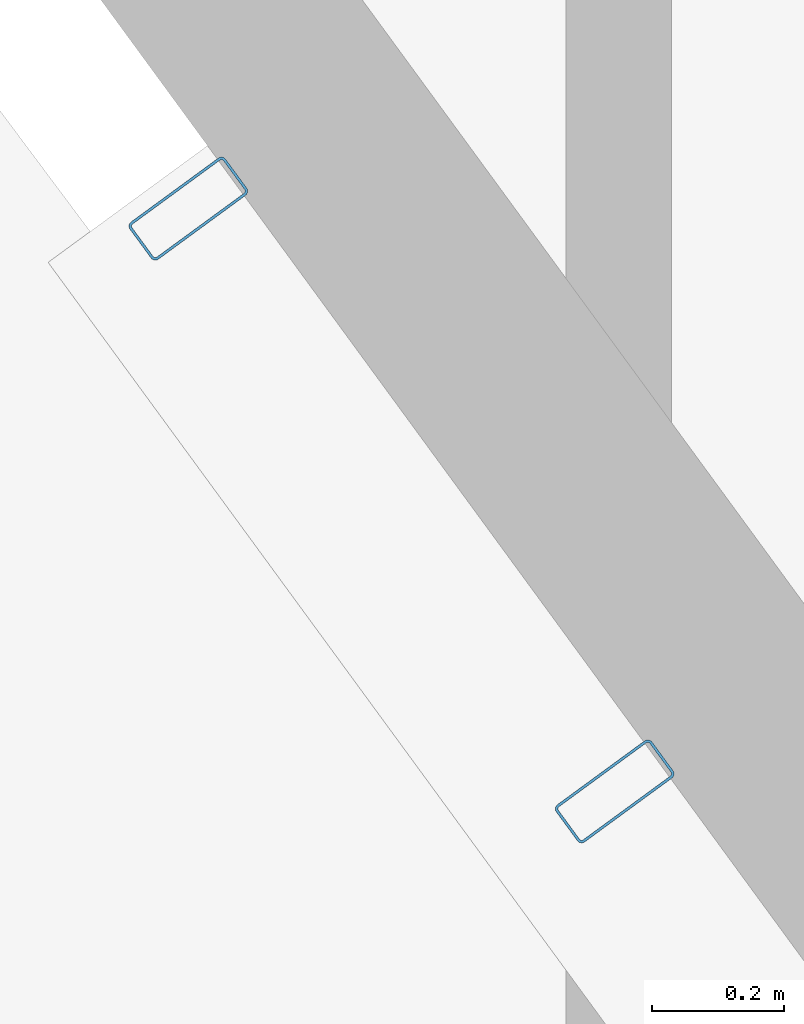
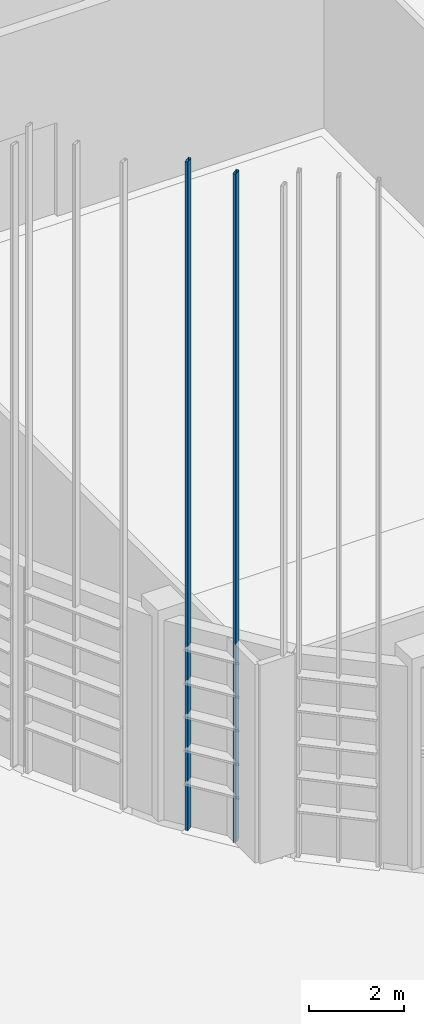
# One storey, part 156 of 372: 2 members.
"""IFC4 building model written with IfcOpenShell, lengths in metres."""

import ifcopenshell
import ifcopenshell.guid

model = None  # the IFC model being written
_history = None  # IfcOwnerHistory: only IFC2X3 demands one
_inside = {}  # id of a spatial element -> (the spatial element, [elements in it])
_under = {}  # id of a project, library or spatial element -> (it, [spatial elements below it])
_declared = {}  # id of a project -> (the project, [libraries it declares])
_typed = {}  # id of a type object -> (the type object, [elements of that type])
_made_of = {}  # id of a material, layer set ... -> (it, [elements and type objects made of it])


def new_model(schema):
    """Start an empty IFC model of exactly this schema.

    Asked for "IFC4X3", IfcOpenShell would pick the latest addendum, in which some entities
    have other attributes; the version numbers below select the first issue.
    IFC2X3 requires an IfcOwnerHistory on every rooted entity: one is made here for all.
    """
    global model, _history
    if schema == "IFC4X3":
        model = ifcopenshell.file(schema_version=(4, 3, 0, 0))
    else:
        model = ifcopenshell.file(schema=schema)
    _inside.clear()
    _under.clear()
    _declared.clear()
    _typed.clear()
    _made_of.clear()
    _history = None
    if model.schema == "IFC2X3":
        org = make("IfcOrganization", Name="unknown")
        user = make(
            "IfcPersonAndOrganization",
            ThePerson=make("IfcPerson", FamilyName="unknown"),
            TheOrganization=org,
        )
        app = make(
            "IfcApplication",
            ApplicationDeveloper=org,
            Version="unknown",
            ApplicationFullName="unknown",
            ApplicationIdentifier="unknown",
        )
        _history = make(
            "IfcOwnerHistory",
            OwningUser=user,
            OwningApplication=app,
            ChangeAction="ADDED",
            CreationDate=0,
        )
    return model


def make(cls, **values):
    """One entity of the class cls with the attributes given. An attribute that is None is left unset."""
    return model.create_entity(
        cls, **{name: value for name, value in values.items() if value is not None}
    )


def rooted(cls, **values):
    """An entity with a GlobalId (a new one), such as an element, a storey or a relation."""
    return make(cls, GlobalId=ifcopenshell.guid.new(), OwnerHistory=_history, **values)


def si_unit(unit_type, name, prefix=None):
    """IfcSIUnit, for example si_unit("LENGTHUNIT", "METRE", prefix="MILLI")."""
    return make("IfcSIUnit", UnitType=unit_type, Prefix=prefix, Name=name)


def assignment(units):
    """IfcUnitAssignment: the units of a project."""
    return None if units is None else make("IfcUnitAssignment", Units=units)


def point(xyz):
    """IfcCartesianPoint."""
    return None if xyz is None else make("IfcCartesianPoint", Coordinates=xyz)


def direction(xyz):
    """IfcDirection."""
    return None if xyz is None else make("IfcDirection", DirectionRatios=xyz)


def frame(location, z_axis=None, x_axis=None):
    """IfcAxis2Placement3D, a coordinate frame: its origin and axes. An axis left out is left unset."""
    return make(
        "IfcAxis2Placement3D",
        Location=point(location),
        Axis=direction(z_axis),
        RefDirection=direction(x_axis),
    )


def frame_2d(location, x_axis=None):
    """IfcAxis2Placement2D, a coordinate frame in the plane: its origin and x axis."""
    return make(
        "IfcAxis2Placement2D", Location=point(location), RefDirection=direction(x_axis)
    )


def origin():
    """The frame at (0, 0, 0) with its axes left unset."""
    return frame((0.0, 0.0, 0.0))


def origin_2d():
    """The frame at (0, 0) in the plane with its x axis left unset."""
    return frame_2d((0.0, 0.0))


def place(relative_to, where):
    """IfcLocalPlacement: puts the frame where relative to a parent placement (None: the world)."""
    return make(
        "IfcLocalPlacement", PlacementRelTo=relative_to, RelativePlacement=where
    )


def context(
    kind, dimensions, precision=None, world=None, true_north=None, identifier=None
):
    """IfcGeometricRepresentationContext, for example the 3D "Model" context."""
    return make(
        "IfcGeometricRepresentationContext",
        ContextIdentifier=identifier,
        ContextType=kind,
        CoordinateSpaceDimension=dimensions,
        Precision=precision,
        WorldCoordinateSystem=world,
        TrueNorth=true_north,
    )


def subcontext(parent, identifier, kind, view, scale=None):
    """IfcGeometricRepresentationSubContext, for example "Body" below "Model"."""
    return make(
        "IfcGeometricRepresentationSubContext",
        ContextIdentifier=identifier,
        ContextType=kind,
        ParentContext=parent,
        TargetScale=scale,
        TargetView=view,
    )


def project(units=None, contexts=None):
    """IfcProject with its units and contexts."""
    return rooted(
        "IfcProject",
        Name="project",
        RepresentationContexts=contexts,
        UnitsInContext=assignment(units),
    )


def spatial(cls, under=None, at=None, **own):
    """A site, building, storey or space (cls), placed at a placement, below another one or the project."""
    s = rooted(cls, ObjectPlacement=at, **own)
    if under is not None:
        _under.setdefault(under.id(), (under, []))[1].append(s)
    return s


def profile(cls, at=None, kind="AREA", **sizes):
    """A parametric profile (cls). Its sizes go by their IFC names, for example OverallWidth=200.0."""
    return make(cls, ProfileType=kind, Position=at, **sizes)


def hollow_rectangle(**sizes):
    """IfcRectangleHollowProfileDef."""
    return profile("IfcRectangleHollowProfileDef", **sizes)


def extrude(swept, where, along, depth):
    """IfcExtrudedAreaSolid: the profile swept, set in the frame where, extruded along a direction by depth."""
    return make(
        "IfcExtrudedAreaSolid",
        SweptArea=swept,
        Position=where,
        ExtrudedDirection=direction(along),
        Depth=depth,
    )


def shape(context_of_items, identifier, shape_type, items):
    """IfcShapeRepresentation: the items that make up one representation, for example the "Body"."""
    return make(
        "IfcShapeRepresentation",
        ContextOfItems=context_of_items,
        RepresentationIdentifier=identifier,
        RepresentationType=shape_type,
        Items=items,
    )


def material(Name=None, Category=None):
    """IfcMaterial."""
    return make("IfcMaterial", Name=Name, Category=Category)


def material_profile(
    of_material, cross_section, Name=None, Category=None, Priority=None
):
    """IfcMaterialProfile: a cross section and its material."""
    return make(
        "IfcMaterialProfile",
        Name=Name,
        Material=of_material,
        Profile=cross_section,
        Priority=Priority,
        Category=Category,
    )


def profile_set(profiles, Name=None, composite=None):
    """IfcMaterialProfileSet."""
    return make(
        "IfcMaterialProfileSet",
        Name=Name,
        MaterialProfiles=profiles,
        CompositeProfile=composite,
    )


def made_of(thing, what):
    """Note that an element or type object is made of a material, layer set ...; save() writes the relation."""
    if what is not None:
        _made_of.setdefault(what.id(), (what, []))[1].append(thing)
    return thing


def type_object(cls, material=None, **own):
    """A type object (cls), such as IfcWallType, which elements share."""
    return made_of(rooted(cls, **own), material)


def element(
    cls,
    number,
    at=None,
    inside=None,
    cuts=None,
    type_object=None,
    material=None,
    context=None,
    identifier="Body",
    shape_type=None,
    held_by="IfcProductDefinitionShape",
    body=None,
    shapes=None,
    **own,
):
    """One element of the class cls, such as IfcWall. Its Tag is "e" and its number.

    at: its placement. inside: the storey or other place that contains it. cuts: it is an
    opening in that element (IfcRelVoidsElement). A single representation is given by context,
    identifier, shape_type and body (its items); several are given by shapes. held_by: the class
    of the entity that holds the representations. save() writes the other relations.
    """
    e = rooted(cls, Tag="e%d" % number, ObjectPlacement=at, **own)
    if body is not None:
        shapes = [shape(context, identifier, shape_type, body)]
    if shapes is not None:
        e.Representation = make(held_by, Representations=shapes)
    if inside is not None:
        _inside.setdefault(inside.id(), (inside, []))[1].append(e)
    if cuts is not None:
        rooted(
            "IfcRelVoidsElement", RelatingBuildingElement=cuts, RelatedOpeningElement=e
        )
    if type_object is not None:
        _typed.setdefault(type_object.id(), (type_object, []))[1].append(e)
    return made_of(e, material)


def aggregate(whole, parts):
    """IfcRelAggregates: a whole, such as a stair, and the parts it consists of."""
    return rooted("IfcRelAggregates", RelatingObject=whole, RelatedObjects=parts)


def save(model, path):
    """Write the relations noted so far, then the file.

    IfcRelAggregates (storeys below a building ...), IfcRelContainedInSpatialStructure (elements
    in a storey), IfcRelDefinesByType, IfcRelAssociatesMaterial and IfcRelDeclares: one each for
    every whole, place, type object, material and project.
    """
    for whole, parts in _under.values():
        aggregate(whole, parts)
    for where, things in _inside.values():
        rooted(
            "IfcRelContainedInSpatialStructure",
            RelatedElements=things,
            RelatingStructure=where,
        )
    for kind, things in _typed.values():
        rooted("IfcRelDefinesByType", RelatedObjects=things, RelatingType=kind)
    for what, things in _made_of.values():
        rooted("IfcRelAssociatesMaterial", RelatedObjects=things, RelatingMaterial=what)
    for by, libraries in _declared.values():
        rooted("IfcRelDeclares", RelatingContext=by, RelatedDefinitions=libraries)
    model.write(path)


model = new_model("IFC4")

# Units and contexts
model_context = context("Model", 3, precision=1e-05, world=origin(), true_north=direction((0.0, 1.0)))
body_context = subcontext(model_context, "Body", "Model", "MODEL_VIEW")
ifc_project = project(units=[si_unit("LENGTHUNIT", "METRE"), si_unit("AREAUNIT", "SQUARE_METRE"), si_unit("VOLUMEUNIT", "CUBIC_METRE"), si_unit("PLANEANGLEUNIT", "RADIAN"), si_unit("MASSUNIT", "GRAM", prefix="KILO")], contexts=[model_context])

# Site, building, storey
site_placement = place(None, origin())
site = spatial("IfcSite", under=ifc_project, at=site_placement, CompositionType="ELEMENT")
building_placement = place(site_placement, origin())
building = spatial("IfcBuilding", under=site, at=building_placement, Name="Kaelora Sail Theatre", CompositionType="ELEMENT")
storey_placement = place(building_placement, origin())
storey = spatial("IfcBuildingStorey", under=building, at=storey_placement, Name="L00", CompositionType="ELEMENT", Elevation=0.0)

# Members
ifc_material = material(Name="Anodised aluminium 6063-T6", Category="aluminium")
ifc_material_profile = material_profile(ifc_material, hollow_rectangle(XDim=0.070068359375, YDim=0.179931640625, WallThickness=0.00390625, InnerFilletRadius=0.00390625, OuterFilletRadius=0.008056640625, at=origin_2d()), Name="ALU-MULL 70x180x4")
ifc_profile_set = profile_set([ifc_material_profile], Name="Anodised aluminium 6063-T6")
member_type = type_object("IfcMemberType", Name="ARC-MEM-PST-160", PredefinedType="POST", material=ifc_profile_set)
for number, where, z_axis, x_axis, name in (
    (1, (127.793701171875, 27.928466796875, 0.0), (0.0, 0.0, 1.0), (-0.590464817481, 0.807063379987, 0.0), "Black-Box and Experimental Sail Wing solar louvre vertical support post C14-2"),
    (2, (127.146484375, 28.81298828125, 0.0), (0.0, 0.0, 1.0), (-0.590464817481, 0.807063379987, 0.0), "Black-Box and Experimental Sail Wing solar louvre vertical support post C14-3"),
):
    element("IfcMember", number, at=place(storey_placement, frame(where, z_axis=z_axis, x_axis=x_axis)), inside=storey, type_object=member_type, Name=name, PredefinedType="POST", context=body_context, shape_type="SweptSolid", body=[
        extrude(hollow_rectangle(XDim=0.070068359375, YDim=0.179931640625, WallThickness=0.00390625, InnerFilletRadius=0.00390625, OuterFilletRadius=0.008056640625, at=origin_2d()), origin(), (0.0, 0.0, 1.0), 17.119140625),
    ])

save(model, "model.ifc")
